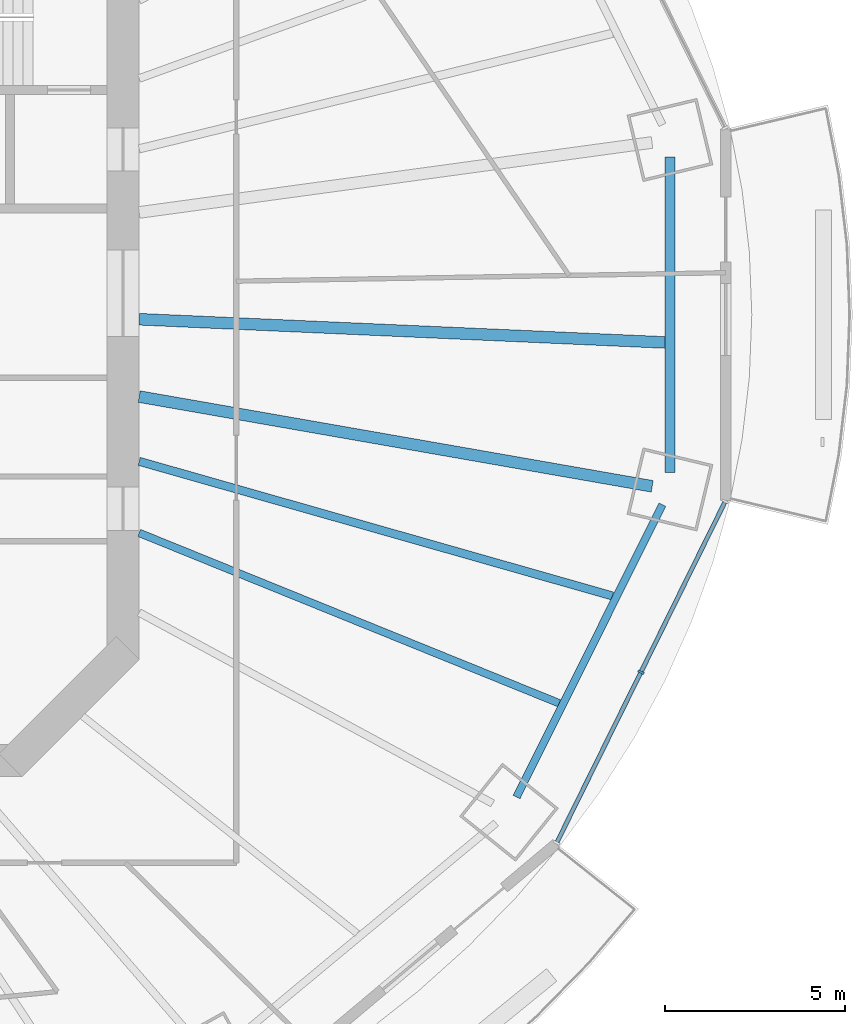
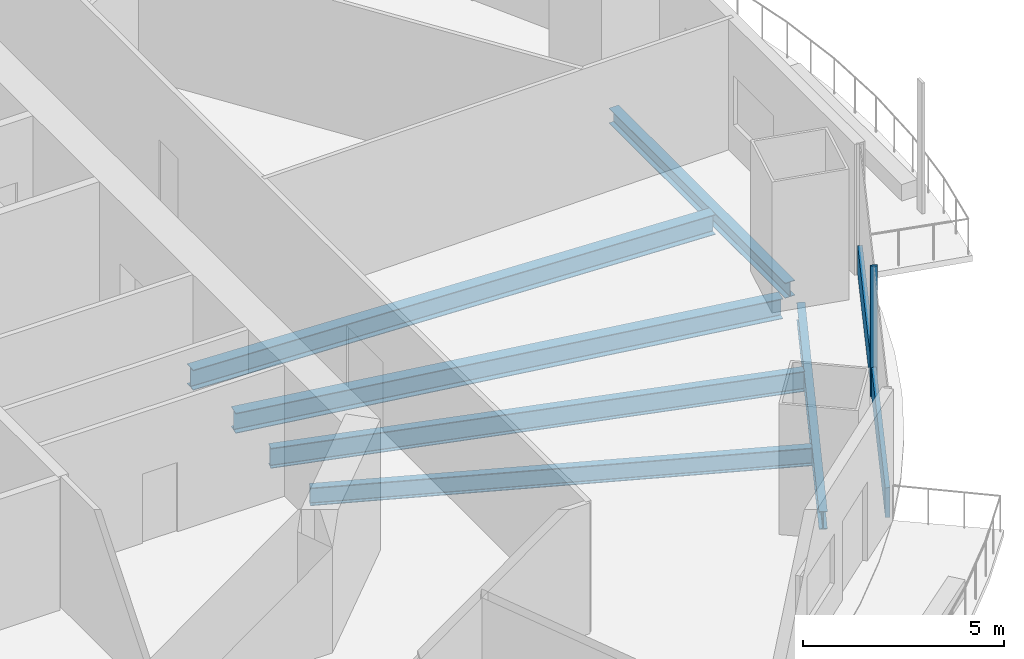
# One storey, part 5 of 21: 6 beams, 2 members, 1 element without a shape of its own.
"""IFC4 building model written with IfcOpenShell, lengths in metres."""

import ifcopenshell
import ifcopenshell.guid

model = None  # the IFC model being written
_history = None  # IfcOwnerHistory: only IFC2X3 demands one
_inside = {}  # id of a spatial element -> (the spatial element, [elements in it])
_under = {}  # id of a project, library or spatial element -> (it, [spatial elements below it])
_declared = {}  # id of a project -> (the project, [libraries it declares])
_typed = {}  # id of a type object -> (the type object, [elements of that type])
_made_of = {}  # id of a material, layer set ... -> (it, [elements and type objects made of it])


def new_model(schema):
    """Start an empty IFC model of exactly this schema.

    Asked for "IFC4X3", IfcOpenShell would pick the latest addendum, in which some entities
    have other attributes; the version numbers below select the first issue.
    IFC2X3 requires an IfcOwnerHistory on every rooted entity: one is made here for all.
    """
    global model, _history
    if schema == "IFC4X3":
        model = ifcopenshell.file(schema_version=(4, 3, 0, 0))
    else:
        model = ifcopenshell.file(schema=schema)
    _inside.clear()
    _under.clear()
    _declared.clear()
    _typed.clear()
    _made_of.clear()
    _history = None
    if model.schema == "IFC2X3":
        org = make("IfcOrganization", Name="unknown")
        user = make(
            "IfcPersonAndOrganization",
            ThePerson=make("IfcPerson", FamilyName="unknown"),
            TheOrganization=org,
        )
        app = make(
            "IfcApplication",
            ApplicationDeveloper=org,
            Version="unknown",
            ApplicationFullName="unknown",
            ApplicationIdentifier="unknown",
        )
        _history = make(
            "IfcOwnerHistory",
            OwningUser=user,
            OwningApplication=app,
            ChangeAction="ADDED",
            CreationDate=0,
        )
    return model


def make(cls, **values):
    """One entity of the class cls with the attributes given. An attribute that is None is left unset."""
    return model.create_entity(
        cls, **{name: value for name, value in values.items() if value is not None}
    )


def rooted(cls, **values):
    """An entity with a GlobalId (a new one), such as an element, a storey or a relation."""
    return make(cls, GlobalId=ifcopenshell.guid.new(), OwnerHistory=_history, **values)


def si_unit(unit_type, name, prefix=None):
    """IfcSIUnit, for example si_unit("LENGTHUNIT", "METRE", prefix="MILLI")."""
    return make("IfcSIUnit", UnitType=unit_type, Prefix=prefix, Name=name)


def assignment(units):
    """IfcUnitAssignment: the units of a project."""
    return None if units is None else make("IfcUnitAssignment", Units=units)


def point(xyz):
    """IfcCartesianPoint."""
    return None if xyz is None else make("IfcCartesianPoint", Coordinates=xyz)


def direction(xyz):
    """IfcDirection."""
    return None if xyz is None else make("IfcDirection", DirectionRatios=xyz)


def frame(location, z_axis=None, x_axis=None):
    """IfcAxis2Placement3D, a coordinate frame: its origin and axes. An axis left out is left unset."""
    return make(
        "IfcAxis2Placement3D",
        Location=point(location),
        Axis=direction(z_axis),
        RefDirection=direction(x_axis),
    )


def frame_2d(location, x_axis=None):
    """IfcAxis2Placement2D, a coordinate frame in the plane: its origin and x axis."""
    return make(
        "IfcAxis2Placement2D", Location=point(location), RefDirection=direction(x_axis)
    )


def origin():
    """The frame at (0, 0, 0) with its axes left unset."""
    return frame((0.0, 0.0, 0.0))


def origin_2d():
    """The frame at (0, 0) in the plane with its x axis left unset."""
    return frame_2d((0.0, 0.0))


def place(relative_to, where):
    """IfcLocalPlacement: puts the frame where relative to a parent placement (None: the world)."""
    return make(
        "IfcLocalPlacement", PlacementRelTo=relative_to, RelativePlacement=where
    )


def context(
    kind, dimensions, precision=None, world=None, true_north=None, identifier=None
):
    """IfcGeometricRepresentationContext, for example the 3D "Model" context."""
    return make(
        "IfcGeometricRepresentationContext",
        ContextIdentifier=identifier,
        ContextType=kind,
        CoordinateSpaceDimension=dimensions,
        Precision=precision,
        WorldCoordinateSystem=world,
        TrueNorth=true_north,
    )


def subcontext(parent, identifier, kind, view, scale=None):
    """IfcGeometricRepresentationSubContext, for example "Body" below "Model"."""
    return make(
        "IfcGeometricRepresentationSubContext",
        ContextIdentifier=identifier,
        ContextType=kind,
        ParentContext=parent,
        TargetScale=scale,
        TargetView=view,
    )


def project(units=None, contexts=None):
    """IfcProject with its units and contexts."""
    return rooted(
        "IfcProject",
        Name="project",
        RepresentationContexts=contexts,
        UnitsInContext=assignment(units),
    )


def spatial(cls, under=None, at=None, **own):
    """A site, building, storey or space (cls), placed at a placement, below another one or the project."""
    s = rooted(cls, ObjectPlacement=at, **own)
    if under is not None:
        _under.setdefault(under.id(), (under, []))[1].append(s)
    return s


def profile(cls, at=None, kind="AREA", **sizes):
    """A parametric profile (cls). Its sizes go by their IFC names, for example OverallWidth=200.0."""
    return make(cls, ProfileType=kind, Position=at, **sizes)


def rectangle(**sizes):
    """IfcRectangleProfileDef."""
    return profile("IfcRectangleProfileDef", **sizes)


def i_section(**sizes):
    """IfcIShapeProfileDef."""
    return profile("IfcIShapeProfileDef", **sizes)


def extrude(swept, where, along, depth):
    """IfcExtrudedAreaSolid: the profile swept, set in the frame where, extruded along a direction by depth."""
    return make(
        "IfcExtrudedAreaSolid",
        SweptArea=swept,
        Position=where,
        ExtrudedDirection=direction(along),
        Depth=depth,
    )


def shape(context_of_items, identifier, shape_type, items):
    """IfcShapeRepresentation: the items that make up one representation, for example the "Body"."""
    return make(
        "IfcShapeRepresentation",
        ContextOfItems=context_of_items,
        RepresentationIdentifier=identifier,
        RepresentationType=shape_type,
        Items=items,
    )


def material(Name=None, Category=None):
    """IfcMaterial."""
    return make("IfcMaterial", Name=Name, Category=Category)


def material_profile(
    of_material, cross_section, Name=None, Category=None, Priority=None
):
    """IfcMaterialProfile: a cross section and its material."""
    return make(
        "IfcMaterialProfile",
        Name=Name,
        Material=of_material,
        Profile=cross_section,
        Priority=Priority,
        Category=Category,
    )


def profile_set(profiles, Name=None, composite=None):
    """IfcMaterialProfileSet."""
    return make(
        "IfcMaterialProfileSet",
        Name=Name,
        MaterialProfiles=profiles,
        CompositeProfile=composite,
    )


def made_of(thing, what):
    """Note that an element or type object is made of a material, layer set ...; save() writes the relation."""
    if what is not None:
        _made_of.setdefault(what.id(), (what, []))[1].append(thing)
    return thing


def type_object(cls, material=None, **own):
    """A type object (cls), such as IfcWallType, which elements share."""
    return made_of(rooted(cls, **own), material)


def element(
    cls,
    number,
    at=None,
    inside=None,
    cuts=None,
    type_object=None,
    material=None,
    context=None,
    identifier="Body",
    shape_type=None,
    held_by="IfcProductDefinitionShape",
    body=None,
    shapes=None,
    **own,
):
    """One element of the class cls, such as IfcWall. Its Tag is "e" and its number.

    at: its placement. inside: the storey or other place that contains it. cuts: it is an
    opening in that element (IfcRelVoidsElement). A single representation is given by context,
    identifier, shape_type and body (its items); several are given by shapes. held_by: the class
    of the entity that holds the representations. save() writes the other relations.
    """
    e = rooted(cls, Tag="e%d" % number, ObjectPlacement=at, **own)
    if body is not None:
        shapes = [shape(context, identifier, shape_type, body)]
    if shapes is not None:
        e.Representation = make(held_by, Representations=shapes)
    if inside is not None:
        _inside.setdefault(inside.id(), (inside, []))[1].append(e)
    if cuts is not None:
        rooted(
            "IfcRelVoidsElement", RelatingBuildingElement=cuts, RelatedOpeningElement=e
        )
    if type_object is not None:
        _typed.setdefault(type_object.id(), (type_object, []))[1].append(e)
    return made_of(e, material)


def aggregate(whole, parts):
    """IfcRelAggregates: a whole, such as a stair, and the parts it consists of."""
    return rooted("IfcRelAggregates", RelatingObject=whole, RelatedObjects=parts)


def save(model, path):
    """Write the relations noted so far, then the file.

    IfcRelAggregates (storeys below a building ...), IfcRelContainedInSpatialStructure (elements
    in a storey), IfcRelDefinesByType, IfcRelAssociatesMaterial and IfcRelDeclares: one each for
    every whole, place, type object, material and project.
    """
    for whole, parts in _under.values():
        aggregate(whole, parts)
    for where, things in _inside.values():
        rooted(
            "IfcRelContainedInSpatialStructure",
            RelatedElements=things,
            RelatingStructure=where,
        )
    for kind, things in _typed.values():
        rooted("IfcRelDefinesByType", RelatedObjects=things, RelatingType=kind)
    for what, things in _made_of.values():
        rooted("IfcRelAssociatesMaterial", RelatedObjects=things, RelatingMaterial=what)
    for by, libraries in _declared.values():
        rooted("IfcRelDeclares", RelatingContext=by, RelatedDefinitions=libraries)
    model.write(path)


model = new_model("IFC4")

# Units and contexts
model_context = context("Model", 3, precision=1e-05, world=origin(), true_north=direction((0.0, 1.0)))
body_context = subcontext(model_context, "Body", "Model", "MODEL_VIEW")
ifc_project = project(units=[si_unit("LENGTHUNIT", "METRE"), si_unit("AREAUNIT", "SQUARE_METRE"), si_unit("VOLUMEUNIT", "CUBIC_METRE"), si_unit("PLANEANGLEUNIT", "RADIAN"), si_unit("MASSUNIT", "GRAM", prefix="KILO")], contexts=[model_context])

# Site, building, storey
site_placement = place(None, origin())
site = spatial("IfcSite", under=ifc_project, at=site_placement, CompositionType="ELEMENT")
building_placement = place(site_placement, origin())
building = spatial("IfcBuilding", under=site, at=building_placement, Name="Marenthal Gate Tower", CompositionType="ELEMENT")
storey_placement = place(building_placement, frame((0.0, 0.0, 198.39990234375)))
storey = spatial("IfcBuildingStorey", under=building, at=storey_placement, Name="L43", CompositionType="ELEMENT", Elevation=198.39990234375)

# Curtain wall, members
ifc_material_1 = material(Name="Aluminium and glass", Category="aluminium")
curtain_wall_type = type_object("IfcCurtainWallType", Name="Curtain wall typical mid", PredefinedType="NOTDEFINED", material=ifc_material_1)
curtain_wall_placement = place(storey_placement, origin())
curtain_wall = element("IfcCurtainWall", 1, at=curtain_wall_placement, inside=storey, type_object=curtain_wall_type, Name="Curtain wall L43 bay 15", PredefinedType="NOTDEFINED")
ifc_material_2 = material(Name="Aluminium", Category="aluminium")
ifc_material_profile_1 = material_profile(ifc_material_2, rectangle(XDim=0.179931640625, YDim=0.06005859375, at=origin_2d()), Name="60x180 aluminium mullion")
ifc_profile_set_1 = profile_set([ifc_material_profile_1], Name="Aluminium")
member_type_1 = type_object("IfcMemberType", Name="Mullion 60x180 typical mid", PredefinedType="MULLION", material=ifc_profile_set_1)
member_1_placement = place(storey_placement, frame((30.408203125, -10.54443359375, 0.0), z_axis=(0.0, 0.0, 1.0), x_axis=(-0.896715617309, 0.442607164057, 0.0)))
member_1 = element("IfcMember", 2, at=member_1_placement, type_object=member_type_1, Name="Mullion L43 bay 15.2", PredefinedType="MULLION", context=body_context, shape_type="SweptSolid", body=[
    extrude(rectangle(XDim=0.179931640625, YDim=0.06005859375, at=origin_2d()), origin(), (0.0, 0.0, 1.0), 3.97021484375),
])
ifc_material_3 = material(Name="Aluminium", Category="aluminium")
ifc_material_profile_2 = material_profile(ifc_material_3, rectangle(XDim=0.1201171875, YDim=0.89990234375, at=origin_2d()), Name="120x900 aluminium transom")
ifc_profile_set_2 = profile_set([ifc_material_profile_2], Name="Aluminium")
member_type_2 = type_object("IfcMemberType", Name="Transom 120x900 typical mid", PredefinedType="USERDEFINED", material=ifc_profile_set_2)
member_2_placement = place(storey_placement, frame((28.07763671875, -15.26611328125, 0.4501953125), z_axis=(0.442608192254, 0.896715109804, 0.0), x_axis=(-0.896715109804, 0.442608192254, 0.0)))
member_2 = element("IfcMember", 3, at=member_2_placement, type_object=member_type_2, Name="Transom L43 bay 15", ObjectType="TRANSOM", PredefinedType="USERDEFINED", context=body_context, shape_type="SweptSolid", body=[
    extrude(rectangle(XDim=0.1201171875, YDim=0.89990234375, at=origin_2d()), origin(), (0.0, 0.0, 1.0), 10.531005859375),
])
aggregate(curtain_wall, [member_1, member_2])

# Beams
ifc_material_4 = material(Name="Steel S355", Category="steel")
ifc_material_profile_3 = material_profile(ifc_material_4, i_section(OverallWidth=0.279052734375, OverallDepth=0.4619140625, WebThickness=0.0107421875, FlangeThickness=0.017333984375, FilletRadius=0.010009765625, at=origin_2d()), Name="W460X113")
ifc_profile_set_3 = profile_set([ifc_material_profile_3], Name="Steel S355")
beam_type_1 = type_object("IfcBeamType", Name="W460X113 beam", PredefinedType="BEAM", material=ifc_profile_set_3)
beam_1_placement = place(storey_placement, frame((31.2158203125, -4.98388671875, -0.410888671875), z_axis=(0.0, 1.0, 0.0), x_axis=(-1.0, 0.0, 0.0)))
element("IfcBeam", 4, at=beam_1_placement, inside=storey, type_object=beam_type_1, Name="BM-L43-56", PredefinedType="BEAM", context=body_context, shape_type="SweptSolid", body=[
    extrude(i_section(OverallWidth=0.279052734375, OverallDepth=0.4619140625, WebThickness=0.0107421875, FlangeThickness=0.017333984375, FilletRadius=0.010009765625, at=origin_2d()), origin(), (0.0, 0.0, 1.0), 8.767578125),
])
ifc_material_5 = material(Name="Steel S355", Category="steel")
ifc_material_profile_4 = material_profile(ifc_material_5, i_section(OverallWidth=0.2119140625, OverallDepth=0.5439453125, WebThickness=0.01318359375, FlangeThickness=0.021240234375, FilletRadius=0.0126953125, at=origin_2d()), Name="W530X123")
ifc_profile_set_4 = profile_set([ifc_material_profile_4], Name="Steel S355")
beam_type_2 = type_object("IfcBeamType", Name="W530X123 beam", PredefinedType="BEAM", material=ifc_profile_set_4)
beam_2_placement = place(storey_placement, frame((28.131591796875, -11.408203125, -0.451904296875), z_axis=(-0.926697708626, 0.375807606132, 0.0), x_axis=(-0.375807606132, -0.926697708626, 0.0)))
element("IfcBeam", 5, at=beam_2_placement, inside=storey, type_object=beam_type_2, Name="BM-L43-38", PredefinedType="BEAM", context=body_context, shape_type="SweptSolid", body=[
    extrude(i_section(OverallWidth=0.2119140625, OverallDepth=0.5439453125, WebThickness=0.01318359375, FlangeThickness=0.021240234375, FilletRadius=0.0126953125, at=origin_2d()), origin(), (0.0, 0.0, 1.0), 12.605712890625),
])
beam_3_placement = place(storey_placement, frame((26.9482421875, -14.019287109375, -0.451904296875), z_axis=(0.446224756274, 0.894920927729, 0.0), x_axis=(-0.894920927729, 0.446224756274, 0.0)))
element("IfcBeam", 6, at=beam_3_placement, inside=storey, type_object=beam_type_2, Name="BM-L43-55", PredefinedType="BEAM", context=body_context, shape_type="SweptSolid", body=[
    extrude(i_section(OverallWidth=0.2119140625, OverallDepth=0.5439453125, WebThickness=0.01318359375, FlangeThickness=0.021240234375, FilletRadius=0.0126953125, at=origin_2d()), origin(), (0.0, 0.0, 1.0), 9.08837890625),
])
ifc_material_6 = material(Name="Steel S355", Category="steel")
ifc_material_profile_5 = material_profile(ifc_material_6, i_section(OverallWidth=0.22900390625, OverallDepth=0.612060546875, WebThickness=0.011962890625, FlangeThickness=0.01953125, FilletRadius=0.0126953125, at=origin_2d()), Name="W610X125")
ifc_profile_set_5 = profile_set([ifc_material_profile_5], Name="Steel S355")
beam_type_3 = type_object("IfcBeamType", Name="W610X125 beam", PredefinedType="BEAM", material=ifc_profile_set_5)
beam_4_placement = place(storey_placement, frame((29.619140625, -8.425048828125, -0.48583984375), z_axis=(-0.961846938218, 0.273588134686, 0.0), x_axis=(-0.273588134686, -0.961846938218, 0.0)))
element("IfcBeam", 7, at=beam_4_placement, inside=storey, type_object=beam_type_3, Name="BM-L43-39", PredefinedType="BEAM", context=body_context, shape_type="SweptSolid", body=[
    extrude(i_section(OverallWidth=0.22900390625, OverallDepth=0.612060546875, WebThickness=0.011962890625, FlangeThickness=0.01953125, FilletRadius=0.0126953125, at=origin_2d()), origin(), (0.0, 0.0, 1.0), 13.691650390625),
])
ifc_material_7 = material(Name="Steel S355", Category="steel")
ifc_material_profile_6 = material_profile(ifc_material_7, i_section(OverallWidth=0.324951171875, OverallDepth=0.612060546875, WebThickness=0.0126953125, FlangeThickness=0.01904296875, FilletRadius=0.0126953125, at=origin_2d()), Name="W610X155")
ifc_profile_set_6 = profile_set([ifc_material_profile_6], Name="Steel S355")
beam_type_4 = type_object("IfcBeamType", Name="W610X155 beam", PredefinedType="BEAM", material=ifc_profile_set_6)
beam_5_placement = place(storey_placement, frame((30.72119140625, -5.374267578125, -0.48583984375), z_axis=(-0.985040837741, 0.17232106076, 0.0), x_axis=(-0.17232106076, -0.985040837741, 0.0)))
element("IfcBeam", 8, at=beam_5_placement, inside=storey, type_object=beam_type_4, Name="BM-L43-16", PredefinedType="BEAM", context=body_context, shape_type="SweptSolid", body=[
    extrude(i_section(OverallWidth=0.324951171875, OverallDepth=0.612060546875, WebThickness=0.0126953125, FlangeThickness=0.01904296875, FilletRadius=0.0126953125, at=origin_2d()), origin(), (0.0, 0.0, 1.0), 14.488037109375),
])
beam_6_placement = place(storey_placement, frame((31.076171875, -1.37158203125, -0.48583984375), z_axis=(-0.999027532939, 0.044090684156, 0.0), x_axis=(-0.044090684156, -0.999027532939, 0.0)))
element("IfcBeam", 9, at=beam_6_placement, inside=storey, type_object=beam_type_4, Name="BM-L43-40", PredefinedType="BEAM", context=body_context, shape_type="SweptSolid", body=[
    extrude(i_section(OverallWidth=0.324951171875, OverallDepth=0.612060546875, WebThickness=0.0126953125, FlangeThickness=0.01904296875, FilletRadius=0.0126953125, at=origin_2d()), origin(), (0.0, 0.0, 1.0), 14.640380859375),
])

save(model, "model.ifc")
